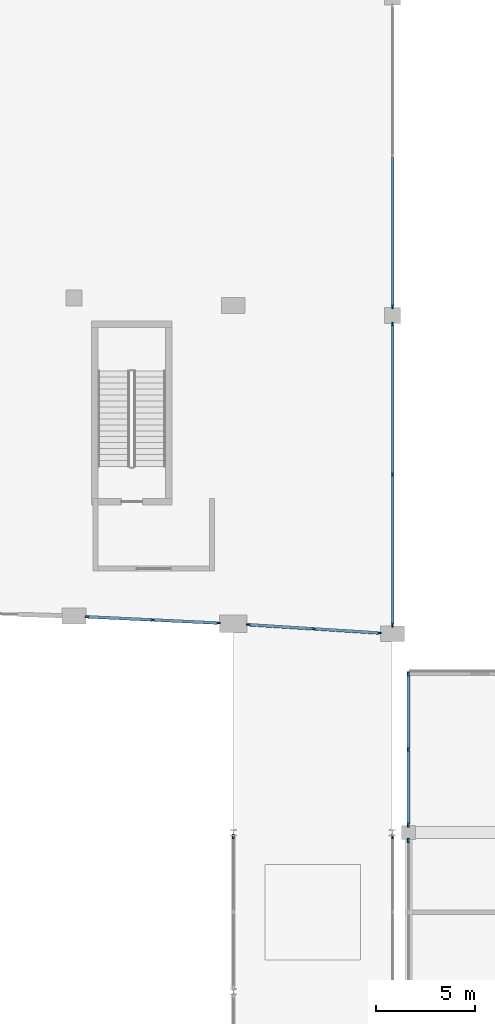
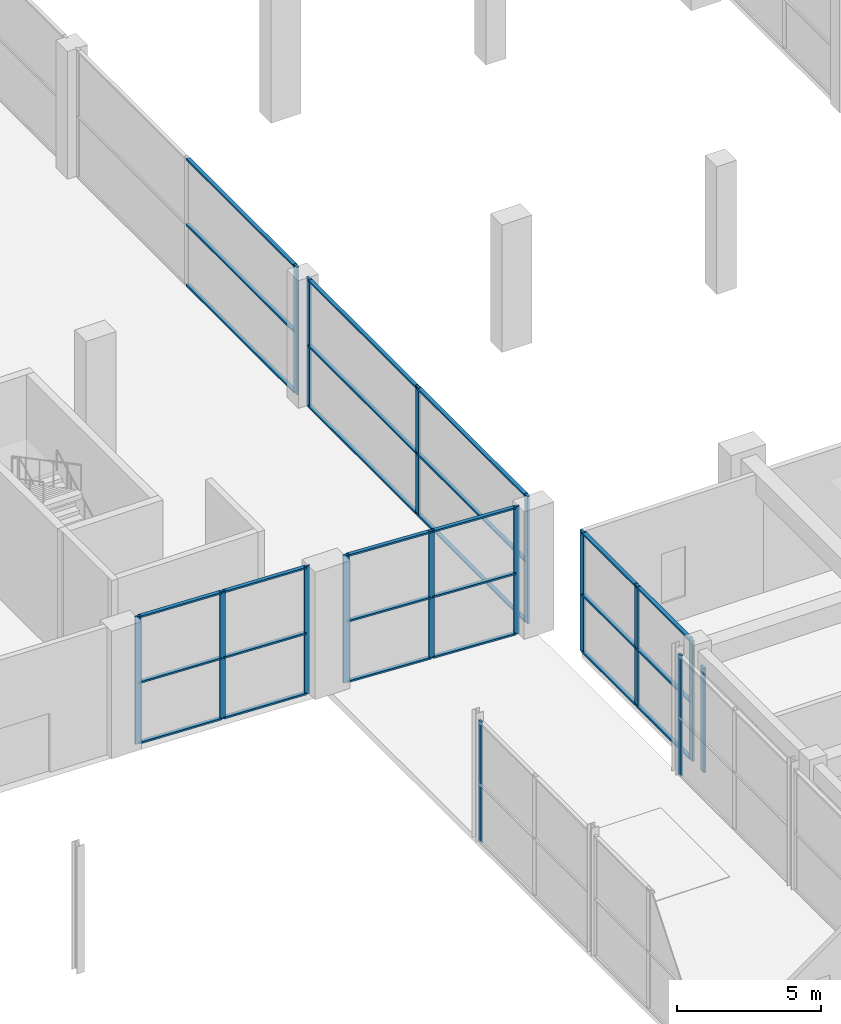
# One storey, part 32 of 86: 43 members, 8 elements without a shape of their own.
"""IFC4 building model written with IfcOpenShell, lengths in metres."""

import ifcopenshell
import ifcopenshell.guid

model = None  # the IFC model being written
_history = None  # IfcOwnerHistory: only IFC2X3 demands one
_inside = {}  # id of a spatial element -> (the spatial element, [elements in it])
_under = {}  # id of a project, library or spatial element -> (it, [spatial elements below it])
_declared = {}  # id of a project -> (the project, [libraries it declares])
_typed = {}  # id of a type object -> (the type object, [elements of that type])
_made_of = {}  # id of a material, layer set ... -> (it, [elements and type objects made of it])


def new_model(schema):
    """Start an empty IFC model of exactly this schema.

    Asked for "IFC4X3", IfcOpenShell would pick the latest addendum, in which some entities
    have other attributes; the version numbers below select the first issue.
    IFC2X3 requires an IfcOwnerHistory on every rooted entity: one is made here for all.
    """
    global model, _history
    if schema == "IFC4X3":
        model = ifcopenshell.file(schema_version=(4, 3, 0, 0))
    else:
        model = ifcopenshell.file(schema=schema)
    _inside.clear()
    _under.clear()
    _declared.clear()
    _typed.clear()
    _made_of.clear()
    _history = None
    if model.schema == "IFC2X3":
        org = make("IfcOrganization", Name="unknown")
        user = make(
            "IfcPersonAndOrganization",
            ThePerson=make("IfcPerson", FamilyName="unknown"),
            TheOrganization=org,
        )
        app = make(
            "IfcApplication",
            ApplicationDeveloper=org,
            Version="unknown",
            ApplicationFullName="unknown",
            ApplicationIdentifier="unknown",
        )
        _history = make(
            "IfcOwnerHistory",
            OwningUser=user,
            OwningApplication=app,
            ChangeAction="ADDED",
            CreationDate=0,
        )
    return model


def make(cls, **values):
    """One entity of the class cls with the attributes given. An attribute that is None is left unset."""
    return model.create_entity(
        cls, **{name: value for name, value in values.items() if value is not None}
    )


def rooted(cls, **values):
    """An entity with a GlobalId (a new one), such as an element, a storey or a relation."""
    return make(cls, GlobalId=ifcopenshell.guid.new(), OwnerHistory=_history, **values)


def si_unit(unit_type, name, prefix=None):
    """IfcSIUnit, for example si_unit("LENGTHUNIT", "METRE", prefix="MILLI")."""
    return make("IfcSIUnit", UnitType=unit_type, Prefix=prefix, Name=name)


def assignment(units):
    """IfcUnitAssignment: the units of a project."""
    return None if units is None else make("IfcUnitAssignment", Units=units)


def point(xyz):
    """IfcCartesianPoint."""
    return None if xyz is None else make("IfcCartesianPoint", Coordinates=xyz)


def direction(xyz):
    """IfcDirection."""
    return None if xyz is None else make("IfcDirection", DirectionRatios=xyz)


def frame(location, z_axis=None, x_axis=None):
    """IfcAxis2Placement3D, a coordinate frame: its origin and axes. An axis left out is left unset."""
    return make(
        "IfcAxis2Placement3D",
        Location=point(location),
        Axis=direction(z_axis),
        RefDirection=direction(x_axis),
    )


def frame_2d(location, x_axis=None):
    """IfcAxis2Placement2D, a coordinate frame in the plane: its origin and x axis."""
    return make(
        "IfcAxis2Placement2D", Location=point(location), RefDirection=direction(x_axis)
    )


def origin():
    """The frame at (0, 0, 0) with its axes left unset."""
    return frame((0.0, 0.0, 0.0))


def origin_2d():
    """The frame at (0, 0) in the plane with its x axis left unset."""
    return frame_2d((0.0, 0.0))


def place(relative_to, where):
    """IfcLocalPlacement: puts the frame where relative to a parent placement (None: the world)."""
    return make(
        "IfcLocalPlacement", PlacementRelTo=relative_to, RelativePlacement=where
    )


def context(
    kind, dimensions, precision=None, world=None, true_north=None, identifier=None
):
    """IfcGeometricRepresentationContext, for example the 3D "Model" context."""
    return make(
        "IfcGeometricRepresentationContext",
        ContextIdentifier=identifier,
        ContextType=kind,
        CoordinateSpaceDimension=dimensions,
        Precision=precision,
        WorldCoordinateSystem=world,
        TrueNorth=true_north,
    )


def subcontext(parent, identifier, kind, view, scale=None):
    """IfcGeometricRepresentationSubContext, for example "Body" below "Model"."""
    return make(
        "IfcGeometricRepresentationSubContext",
        ContextIdentifier=identifier,
        ContextType=kind,
        ParentContext=parent,
        TargetScale=scale,
        TargetView=view,
    )


def project(units=None, contexts=None):
    """IfcProject with its units and contexts."""
    return rooted(
        "IfcProject",
        Name="project",
        RepresentationContexts=contexts,
        UnitsInContext=assignment(units),
    )


def spatial(cls, under=None, at=None, **own):
    """A site, building, storey or space (cls), placed at a placement, below another one or the project."""
    s = rooted(cls, ObjectPlacement=at, **own)
    if under is not None:
        _under.setdefault(under.id(), (under, []))[1].append(s)
    return s


def profile(cls, at=None, kind="AREA", **sizes):
    """A parametric profile (cls). Its sizes go by their IFC names, for example OverallWidth=200.0."""
    return make(cls, ProfileType=kind, Position=at, **sizes)


def rectangle(**sizes):
    """IfcRectangleProfileDef."""
    return profile("IfcRectangleProfileDef", **sizes)


def extrude(swept, where, along, depth):
    """IfcExtrudedAreaSolid: the profile swept, set in the frame where, extruded along a direction by depth."""
    return make(
        "IfcExtrudedAreaSolid",
        SweptArea=swept,
        Position=where,
        ExtrudedDirection=direction(along),
        Depth=depth,
    )


def shape(context_of_items, identifier, shape_type, items):
    """IfcShapeRepresentation: the items that make up one representation, for example the "Body"."""
    return make(
        "IfcShapeRepresentation",
        ContextOfItems=context_of_items,
        RepresentationIdentifier=identifier,
        RepresentationType=shape_type,
        Items=items,
    )


def material(Name=None, Category=None):
    """IfcMaterial."""
    return make("IfcMaterial", Name=Name, Category=Category)


def material_profile(
    of_material, cross_section, Name=None, Category=None, Priority=None
):
    """IfcMaterialProfile: a cross section and its material."""
    return make(
        "IfcMaterialProfile",
        Name=Name,
        Material=of_material,
        Profile=cross_section,
        Priority=Priority,
        Category=Category,
    )


def profile_set(profiles, Name=None, composite=None):
    """IfcMaterialProfileSet."""
    return make(
        "IfcMaterialProfileSet",
        Name=Name,
        MaterialProfiles=profiles,
        CompositeProfile=composite,
    )


def made_of(thing, what):
    """Note that an element or type object is made of a material, layer set ...; save() writes the relation."""
    if what is not None:
        _made_of.setdefault(what.id(), (what, []))[1].append(thing)
    return thing


def type_object(cls, material=None, **own):
    """A type object (cls), such as IfcWallType, which elements share."""
    return made_of(rooted(cls, **own), material)


def element(
    cls,
    number,
    at=None,
    inside=None,
    cuts=None,
    type_object=None,
    material=None,
    context=None,
    identifier="Body",
    shape_type=None,
    held_by="IfcProductDefinitionShape",
    body=None,
    shapes=None,
    **own,
):
    """One element of the class cls, such as IfcWall. Its Tag is "e" and its number.

    at: its placement. inside: the storey or other place that contains it. cuts: it is an
    opening in that element (IfcRelVoidsElement). A single representation is given by context,
    identifier, shape_type and body (its items); several are given by shapes. held_by: the class
    of the entity that holds the representations. save() writes the other relations.
    """
    e = rooted(cls, Tag="e%d" % number, ObjectPlacement=at, **own)
    if body is not None:
        shapes = [shape(context, identifier, shape_type, body)]
    if shapes is not None:
        e.Representation = make(held_by, Representations=shapes)
    if inside is not None:
        _inside.setdefault(inside.id(), (inside, []))[1].append(e)
    if cuts is not None:
        rooted(
            "IfcRelVoidsElement", RelatingBuildingElement=cuts, RelatedOpeningElement=e
        )
    if type_object is not None:
        _typed.setdefault(type_object.id(), (type_object, []))[1].append(e)
    return made_of(e, material)


def aggregate(whole, parts):
    """IfcRelAggregates: a whole, such as a stair, and the parts it consists of."""
    return rooted("IfcRelAggregates", RelatingObject=whole, RelatedObjects=parts)


def save(model, path):
    """Write the relations noted so far, then the file.

    IfcRelAggregates (storeys below a building ...), IfcRelContainedInSpatialStructure (elements
    in a storey), IfcRelDefinesByType, IfcRelAssociatesMaterial and IfcRelDeclares: one each for
    every whole, place, type object, material and project.
    """
    for whole, parts in _under.values():
        aggregate(whole, parts)
    for where, things in _inside.values():
        rooted(
            "IfcRelContainedInSpatialStructure",
            RelatedElements=things,
            RelatingStructure=where,
        )
    for kind, things in _typed.values():
        rooted("IfcRelDefinesByType", RelatedObjects=things, RelatingType=kind)
    for what, things in _made_of.values():
        rooted("IfcRelAssociatesMaterial", RelatedObjects=things, RelatingMaterial=what)
    for by, libraries in _declared.values():
        rooted("IfcRelDeclares", RelatingContext=by, RelatedDefinitions=libraries)
    model.write(path)


model = new_model("IFC4")

# Units and contexts
model_context = context("Model", 3, precision=1e-05, world=origin(), true_north=direction((0.0, 1.0)))
body_context = subcontext(model_context, "Body", "Model", "MODEL_VIEW")
ifc_project = project(units=[si_unit("LENGTHUNIT", "METRE"), si_unit("AREAUNIT", "SQUARE_METRE"), si_unit("VOLUMEUNIT", "CUBIC_METRE"), si_unit("PLANEANGLEUNIT", "RADIAN"), si_unit("MASSUNIT", "GRAM", prefix="KILO")], contexts=[model_context])

# Site, building, storey
site_placement = place(None, origin())
site = spatial("IfcSite", under=ifc_project, at=site_placement, CompositionType="ELEMENT")
building_placement = place(site_placement, origin())
building = spatial("IfcBuilding", under=site, at=building_placement, Name="Kenh Van Central Station", CompositionType="ELEMENT")
storey_placement = place(building_placement, origin())
storey = spatial("IfcBuildingStorey", under=building, at=storey_placement, Name="L00", CompositionType="ELEMENT", Elevation=0.0)

# Curtain wall, members
ifc_material = material(Name="Champagne anodised aluminium", Category="aluminium")
curtain_wall_type_1 = type_object("IfcCurtainWallType", Name="CW-OPER-B", PredefinedType="NOTDEFINED", material=ifc_material)
curtain_wall_1_placement = place(storey_placement, origin())
curtain_wall_1 = element("IfcCurtainWall", 1, at=curtain_wall_1_placement, inside=storey, type_object=curtain_wall_type_1, Name="L00 curtain wall 069", PredefinedType="NOTDEFINED")
ifc_material_profile_1 = material_profile(ifc_material, rectangle(XDim=0.087890625, YDim=0.239990234375, at=origin_2d()), Name="AL 88x240")
ifc_profile_set_1 = profile_set([ifc_material_profile_1], Name="Champagne anodised aluminium")
member_type_1 = type_object("IfcMemberType", Name="CWM-60x140", PredefinedType="MULLION", material=ifc_profile_set_1)
member_1_placement = place(storey_placement, frame((120.800048828125, 63.9560546875, 0.0), z_axis=(0.0, 0.0, 1.0), x_axis=(1.0, 0.0, 0.0)))
member_1 = element("IfcMember", 2, at=member_1_placement, type_object=member_type_1, Name="CW-08 mullion 1", PredefinedType="MULLION", context=body_context, shape_type="SweptSolid", body=[
    extrude(rectangle(XDim=0.087890625, YDim=0.239990234375, at=origin_2d()), origin(), (0.0, 0.0, 1.0), 5.10009765625),
])
member_2_placement = place(storey_placement, frame((120.800048828125, 60.175048828125, 0.0), z_axis=(0.0, 0.0, 1.0), x_axis=(1.0, 0.0, 0.0)))
member_2 = element("IfcMember", 3, at=member_2_placement, type_object=member_type_1, Name="CW-08 mullion 2", PredefinedType="MULLION", context=body_context, shape_type="SweptSolid", body=[
    extrude(rectangle(XDim=0.087890625, YDim=0.239990234375, at=origin_2d()), origin(), (0.0, 0.0, 1.0), 5.10009765625),
])
member_3_placement = place(storey_placement, frame((120.800048828125, 56.39404296875, 0.0), z_axis=(0.0, 0.0, 1.0), x_axis=(1.0, 0.0, 0.0)))
member_3 = element("IfcMember", 4, at=member_3_placement, type_object=member_type_1, Name="CW-08 mullion 3", PredefinedType="MULLION", context=body_context, shape_type="SweptSolid", body=[
    extrude(rectangle(XDim=0.087890625, YDim=0.239990234375, at=origin_2d()), origin(), (0.0, 0.0, 1.0), 5.10009765625),
])

# Curtain wall, member
curtain_wall_2_placement = place(storey_placement, origin())
curtain_wall_2 = element("IfcCurtainWall", 5, at=curtain_wall_2_placement, inside=storey, type_object=curtain_wall_type_1, Name="L00 curtain wall 070", PredefinedType="NOTDEFINED")
member_4_placement = place(storey_placement, frame((120.800048828125, 55.60595703125, 0.0), z_axis=(0.0, 0.0, 1.0), x_axis=(1.0, 0.0, 0.0)))
member_4 = element("IfcMember", 6, at=member_4_placement, type_object=member_type_1, Name="CW-08 mullion 1", PredefinedType="MULLION", context=body_context, shape_type="SweptSolid", body=[
    extrude(rectangle(XDim=0.087890625, YDim=0.239990234375, at=origin_2d()), origin(), (0.0, 0.0, 1.0), 4.419921875),
])
aggregate(curtain_wall_2, [member_4])

# Curtain wall, members
curtain_wall_type_2 = type_object("IfcCurtainWallType", Name="CW-HALL-B", PredefinedType="NOTDEFINED", material=ifc_material)
curtain_wall_3_placement = place(storey_placement, origin())
curtain_wall_3 = element("IfcCurtainWall", 7, at=curtain_wall_3_placement, inside=storey, type_object=curtain_wall_type_2, Name="L00 curtain wall 019", PredefinedType="NOTDEFINED")
ifc_material_profile_2 = material_profile(ifc_material, rectangle(XDim=0.08203125, YDim=0.22509765625, at=origin_2d()), Name="AL 82x225")
ifc_profile_set_2 = profile_set([ifc_material_profile_2], Name="Champagne anodised aluminium")
member_type_2 = type_object("IfcMemberType", Name="CWM-70x180", PredefinedType="MULLION", material=ifc_profile_set_2)
member_5_placement = place(storey_placement, frame((120.0, 66.436279296875, 0.0), z_axis=(0.0, 0.0, 1.0), x_axis=(-1.0, 0.0, 0.0)))
member_5 = element("IfcMember", 8, at=member_5_placement, type_object=member_type_2, Name="CW-02 mullion 1", PredefinedType="MULLION", context=body_context, shape_type="SweptSolid", body=[
    extrude(rectangle(XDim=0.08203125, YDim=0.22509765625, at=origin_2d()), origin(), (0.0, 0.0, 1.0), 5.39990234375),
])
member_6_placement = place(storey_placement, frame((120.0, 73.9951171875, 0.0), z_axis=(0.0, 0.0, 1.0), x_axis=(-1.0, 0.0, 0.0)))
member_6 = element("IfcMember", 9, at=member_6_placement, type_object=member_type_2, Name="CW-02 mullion 2", PredefinedType="MULLION", context=body_context, shape_type="SweptSolid", body=[
    extrude(rectangle(XDim=0.08203125, YDim=0.22509765625, at=origin_2d()), origin(), (0.0, 0.0, 1.0), 5.39990234375),
])
member_7_placement = place(storey_placement, frame((120.0, 81.55419921875, 0.0), z_axis=(0.0, 0.0, 1.0), x_axis=(-1.0, 0.0, 0.0)))
member_7 = element("IfcMember", 10, at=member_7_placement, type_object=member_type_2, Name="CW-02 mullion 3", PredefinedType="MULLION", context=body_context, shape_type="SweptSolid", body=[
    extrude(rectangle(XDim=0.08203125, YDim=0.22509765625, at=origin_2d()), origin(), (0.0, 0.0, 1.0), 5.39990234375),
])

# Curtain wall, member
curtain_wall_4_placement = place(storey_placement, origin())
curtain_wall_4 = element("IfcCurtainWall", 11, at=curtain_wall_4_placement, inside=storey, type_object=curtain_wall_type_2, Name="L00 curtain wall 020", PredefinedType="NOTDEFINED")
member_8_placement = place(storey_placement, frame((120.0, 82.436279296875, 0.0), z_axis=(0.0, 0.0, 1.0), x_axis=(-1.0, 0.0, 0.0)))
member_8 = element("IfcMember", 12, at=member_8_placement, type_object=member_type_2, Name="CW-02 mullion 1", PredefinedType="MULLION", context=body_context, shape_type="SweptSolid", body=[
    extrude(rectangle(XDim=0.08203125, YDim=0.22509765625, at=origin_2d()), origin(), (0.0, 0.0, 1.0), 5.39990234375),
])

curtain_wall_type_3 = type_object("IfcCurtainWallType", Name="CW-CONC-B", PredefinedType="NOTDEFINED", material=ifc_material)
curtain_wall_5_placement = place(storey_placement, origin())
curtain_wall_5 = element("IfcCurtainWall", 13, at=curtain_wall_5_placement, inside=storey, type_object=curtain_wall_type_3, Name="L00 curtain wall 031", PredefinedType="NOTDEFINED")
member_9_placement = place(storey_placement, frame((112.0, 55.80908203125, 0.0), z_axis=(0.0, 0.0, 1.0), x_axis=(1.0, 0.0, 0.0)))
member_9 = element("IfcMember", 14, at=member_9_placement, type_object=member_type_2, Name="CW-04 mullion 1", PredefinedType="MULLION", context=body_context, shape_type="SweptSolid", body=[
    extrude(rectangle(XDim=0.08203125, YDim=0.22509765625, at=origin_2d()), origin(), (0.0, 0.0, 1.0), 5.10009765625),
])
aggregate(curtain_wall_5, [member_9])

curtain_wall_6_placement = place(storey_placement, origin())
curtain_wall_6 = element("IfcCurtainWall", 15, at=curtain_wall_6_placement, inside=storey, type_object=curtain_wall_type_3, Name="L00 curtain wall 037", PredefinedType="NOTDEFINED")
member_10_placement = place(storey_placement, frame((120.0, 55.80908203125, 0.0), z_axis=(0.0, 0.0, 1.0), x_axis=(-1.0, 0.0, 0.0)))
member_10 = element("IfcMember", 16, at=member_10_placement, type_object=member_type_2, Name="CW-04 mullion 3", PredefinedType="MULLION", context=body_context, shape_type="SweptSolid", body=[
    extrude(rectangle(XDim=0.08203125, YDim=0.22509765625, at=origin_2d()), origin(), (0.0, 0.0, 1.0), 5.10009765625),
])
aggregate(curtain_wall_6, [member_10])

# Curtain wall, members
curtain_wall_type_4 = type_object("IfcCurtainWallType", Name="CW-HALL-A", PredefinedType="NOTDEFINED", material=ifc_material)
curtain_wall_7_placement = place(storey_placement, origin())
curtain_wall_7 = element("IfcCurtainWall", 17, at=curtain_wall_7_placement, inside=storey, type_object=curtain_wall_type_4, Name="L00 curtain wall 012", PredefinedType="NOTDEFINED")
ifc_material_profile_3 = material_profile(ifc_material, rectangle(XDim=0.080078125, YDim=0.219970703125, at=origin_2d()), Name="AL 80x220")
ifc_profile_set_3 = profile_set([ifc_material_profile_3], Name="Champagne anodised aluminium")
member_type_3 = type_object("IfcMemberType", Name="CWM-80x220", PredefinedType="MULLION", material=ifc_profile_set_3)
member_11_placement = place(storey_placement, frame((104.65771484375, 66.851806640625, 0.0), z_axis=(0.0, 0.0, 1.0), x_axis=(0.047600764745, 0.99886644112, 0.0)))
member_11 = element("IfcMember", 18, at=member_11_placement, type_object=member_type_3, Name="CW-01 mullion 1", PredefinedType="MULLION", context=body_context, shape_type="SweptSolid", body=[
    extrude(rectangle(XDim=0.080078125, YDim=0.219970703125, at=origin_2d()), origin(), (0.0, 0.0, 1.0), 5.39990234375),
])
member_12_placement = place(storey_placement, frame((107.948974609375, 66.695068359375, 0.0), z_axis=(0.0, 0.0, 1.0), x_axis=(0.047600764745, 0.99886644112, 0.0)))
member_12 = element("IfcMember", 19, at=member_12_placement, type_object=member_type_3, Name="CW-01 mullion 2", PredefinedType="MULLION", context=body_context, shape_type="SweptSolid", body=[
    extrude(rectangle(XDim=0.080078125, YDim=0.219970703125, at=origin_2d()), origin(), (0.0, 0.0, 1.0), 5.39990234375),
])
member_13_placement = place(storey_placement, frame((111.240234375, 66.5380859375, 0.0), z_axis=(0.0, 0.0, 1.0), x_axis=(0.047600764745, 0.99886644112, 0.0)))
member_13 = element("IfcMember", 20, at=member_13_placement, type_object=member_type_3, Name="CW-01 mullion 3", PredefinedType="MULLION", context=body_context, shape_type="SweptSolid", body=[
    extrude(rectangle(XDim=0.080078125, YDim=0.219970703125, at=origin_2d()), origin(), (0.0, 0.0, 1.0), 5.39990234375),
])

curtain_wall_8_placement = place(storey_placement, origin())
curtain_wall_8 = element("IfcCurtainWall", 21, at=curtain_wall_8_placement, inside=storey, type_object=curtain_wall_type_4, Name="L00 curtain wall 014", PredefinedType="NOTDEFINED")
member_14_placement = place(storey_placement, frame((112.765625, 66.453369140625, 0.0), z_axis=(0.0, 0.0, 1.0), x_axis=(0.063211477724, 0.998000154852, 0.0)))
member_14 = element("IfcMember", 22, at=member_14_placement, type_object=member_type_3, Name="CW-01 mullion 1", PredefinedType="MULLION", context=body_context, shape_type="SweptSolid", body=[
    extrude(rectangle(XDim=0.080078125, YDim=0.219970703125, at=origin_2d()), origin(), (0.0, 0.0, 1.0), 5.39990234375),
])
member_15_placement = place(storey_placement, frame((116.051513671875, 66.245361328125, 0.0), z_axis=(0.0, 0.0, 1.0), x_axis=(0.063211477724, 0.998000154852, 0.0)))
member_15 = element("IfcMember", 23, at=member_15_placement, type_object=member_type_3, Name="CW-01 mullion 2", PredefinedType="MULLION", context=body_context, shape_type="SweptSolid", body=[
    extrude(rectangle(XDim=0.080078125, YDim=0.219970703125, at=origin_2d()), origin(), (0.0, 0.0, 1.0), 5.39990234375),
])
member_16_placement = place(storey_placement, frame((119.337158203125, 66.037109375, 0.0), z_axis=(0.0, 0.0, 1.0), x_axis=(0.063211477724, 0.998000154852, 0.0)))
member_16 = element("IfcMember", 24, at=member_16_placement, type_object=member_type_3, Name="CW-01 mullion 3", PredefinedType="MULLION", context=body_context, shape_type="SweptSolid", body=[
    extrude(rectangle(XDim=0.080078125, YDim=0.219970703125, at=origin_2d()), origin(), (0.0, 0.0, 1.0), 5.39990234375),
])

# Member
ifc_material_profile_4 = material_profile(ifc_material, rectangle(XDim=0.155029296875, YDim=0.072021484375, at=origin_2d()), Name="AL 155x72")
ifc_profile_set_4 = profile_set([ifc_material_profile_4], Name="Champagne anodised aluminium")
member_type_4 = type_object("IfcMemberType", Name="CWT-120x60", PredefinedType="USERDEFINED", material=ifc_profile_set_4)
member_17_placement = place(storey_placement, frame((120.800048828125, 63.912109375, 0.035888671875), z_axis=(0.0, -1.0, 0.0), x_axis=(1.0, 0.0, 0.0)))
member_17 = element("IfcMember", 25, at=member_17_placement, type_object=member_type_4, Name="CW-08 transom 1.1", ObjectType="TRANSOM", PredefinedType="USERDEFINED", context=body_context, shape_type="SweptSolid", body=[
    extrude(rectangle(XDim=0.155029296875, YDim=0.072021484375, at=origin_2d()), origin(), (0.0, 0.0, 1.0), 3.693115234375),
])

member_18_placement = place(storey_placement, frame((120.800048828125, 63.912109375, 2.447998046875), z_axis=(0.0, -1.0, 0.0), x_axis=(1.0, 0.0, 0.0)))
member_18 = element("IfcMember", 26, at=member_18_placement, type_object=member_type_4, Name="CW-08 transom 1.2", ObjectType="TRANSOM", PredefinedType="USERDEFINED", context=body_context, shape_type="SweptSolid", body=[
    extrude(rectangle(XDim=0.155029296875, YDim=0.072021484375, at=origin_2d()), origin(), (0.0, 0.0, 1.0), 3.693115234375),
])

member_19_placement = place(storey_placement, frame((120.800048828125, 63.912109375, 5.06396484375), z_axis=(0.0, -1.0, 0.0), x_axis=(1.0, 0.0, 0.0)))
member_19 = element("IfcMember", 27, at=member_19_placement, type_object=member_type_4, Name="CW-08 transom 1.3", ObjectType="TRANSOM", PredefinedType="USERDEFINED", context=body_context, shape_type="SweptSolid", body=[
    extrude(rectangle(XDim=0.155029296875, YDim=0.072021484375, at=origin_2d()), origin(), (0.0, 0.0, 1.0), 3.693115234375),
])

member_20_placement = place(storey_placement, frame((120.800048828125, 60.131103515625, 0.035888671875), z_axis=(0.0, -1.0, 0.0), x_axis=(1.0, 0.0, 0.0)))
member_20 = element("IfcMember", 28, at=member_20_placement, type_object=member_type_4, Name="CW-08 transom 2.1", ObjectType="TRANSOM", PredefinedType="USERDEFINED", context=body_context, shape_type="SweptSolid", body=[
    extrude(rectangle(XDim=0.155029296875, YDim=0.072021484375, at=origin_2d()), origin(), (0.0, 0.0, 1.0), 3.693115234375),
])

member_21_placement = place(storey_placement, frame((120.800048828125, 60.131103515625, 2.447998046875), z_axis=(0.0, -1.0, 0.0), x_axis=(1.0, 0.0, 0.0)))
member_21 = element("IfcMember", 29, at=member_21_placement, type_object=member_type_4, Name="CW-08 transom 2.2", ObjectType="TRANSOM", PredefinedType="USERDEFINED", context=body_context, shape_type="SweptSolid", body=[
    extrude(rectangle(XDim=0.155029296875, YDim=0.072021484375, at=origin_2d()), origin(), (0.0, 0.0, 1.0), 3.693115234375),
])

member_22_placement = place(storey_placement, frame((120.800048828125, 60.131103515625, 5.06396484375), z_axis=(0.0, -1.0, 0.0), x_axis=(1.0, 0.0, 0.0)))
member_22 = element("IfcMember", 30, at=member_22_placement, type_object=member_type_4, Name="CW-08 transom 2.3", ObjectType="TRANSOM", PredefinedType="USERDEFINED", context=body_context, shape_type="SweptSolid", body=[
    extrude(rectangle(XDim=0.155029296875, YDim=0.072021484375, at=origin_2d()), origin(), (0.0, 0.0, 1.0), 3.693115234375),
])

aggregate(curtain_wall_1, [member_1, member_2, member_3, member_17, member_18, member_19, member_20, member_21, member_22])

ifc_material_profile_5 = material_profile(ifc_material, rectangle(XDim=0.14990234375, YDim=0.070068359375, at=origin_2d()), Name="AL 150x70")
ifc_profile_set_5 = profile_set([ifc_material_profile_5], Name="Champagne anodised aluminium")
member_type_5 = type_object("IfcMemberType", Name="CWT-150x70", PredefinedType="USERDEFINED", material=ifc_profile_set_5)
member_23_placement = place(storey_placement, frame((104.697509765625, 66.849853515625, 0.034912109375), z_axis=(0.998865903203, -0.047612051187, 0.0), x_axis=(0.047612051187, 0.998865903203, 0.0)))
member_23 = element("IfcMember", 31, at=member_23_placement, type_object=member_type_5, Name="CW-01 transom 1.1", ObjectType="TRANSOM", PredefinedType="USERDEFINED", context=body_context, shape_type="SweptSolid", body=[
    extrude(rectangle(XDim=0.14990234375, YDim=0.070068359375, at=origin_2d()), origin(), (0.0, 0.0, 1.0), 3.215087890625),
])

member_24_placement = place(storey_placement, frame((104.697509765625, 66.849853515625, 2.592041015625), z_axis=(0.998865903203, -0.047612051187, 0.0), x_axis=(0.047612051187, 0.998865903203, 0.0)))
member_24 = element("IfcMember", 32, at=member_24_placement, type_object=member_type_5, Name="CW-01 transom 1.2", ObjectType="TRANSOM", PredefinedType="USERDEFINED", context=body_context, shape_type="SweptSolid", body=[
    extrude(rectangle(XDim=0.14990234375, YDim=0.070068359375, at=origin_2d()), origin(), (0.0, 0.0, 1.0), 3.215087890625),
])

member_25_placement = place(storey_placement, frame((104.697509765625, 66.849853515625, 5.364990234375), z_axis=(0.998865903203, -0.047612051187, 0.0), x_axis=(0.047612051187, 0.998865903203, 0.0)))
member_25 = element("IfcMember", 33, at=member_25_placement, type_object=member_type_5, Name="CW-01 transom 1.3", ObjectType="TRANSOM", PredefinedType="USERDEFINED", context=body_context, shape_type="SweptSolid", body=[
    extrude(rectangle(XDim=0.14990234375, YDim=0.070068359375, at=origin_2d()), origin(), (0.0, 0.0, 1.0), 3.215087890625),
])

member_26_placement = place(storey_placement, frame((107.989013671875, 66.693115234375, 0.034912109375), z_axis=(0.998865731043, -0.047615662842, 0.0), x_axis=(0.047615662842, 0.998865731043, 0.0)))
member_26 = element("IfcMember", 34, at=member_26_placement, type_object=member_type_5, Name="CW-01 transom 2.1", ObjectType="TRANSOM", PredefinedType="USERDEFINED", context=body_context, shape_type="SweptSolid", body=[
    extrude(rectangle(XDim=0.14990234375, YDim=0.070068359375, at=origin_2d()), origin(), (0.0, 0.0, 1.0), 3.21484375),
])

member_27_placement = place(storey_placement, frame((107.989013671875, 66.693115234375, 2.592041015625), z_axis=(0.998865731043, -0.047615662842, 0.0), x_axis=(0.047615662842, 0.998865731043, 0.0)))
member_27 = element("IfcMember", 35, at=member_27_placement, type_object=member_type_5, Name="CW-01 transom 2.2", ObjectType="TRANSOM", PredefinedType="USERDEFINED", context=body_context, shape_type="SweptSolid", body=[
    extrude(rectangle(XDim=0.14990234375, YDim=0.070068359375, at=origin_2d()), origin(), (0.0, 0.0, 1.0), 3.21484375),
])

member_28_placement = place(storey_placement, frame((107.989013671875, 66.693115234375, 5.364990234375), z_axis=(0.998865731043, -0.047615662842, 0.0), x_axis=(0.047615662842, 0.998865731043, 0.0)))
member_28 = element("IfcMember", 36, at=member_28_placement, type_object=member_type_5, Name="CW-01 transom 2.3", ObjectType="TRANSOM", PredefinedType="USERDEFINED", context=body_context, shape_type="SweptSolid", body=[
    extrude(rectangle(XDim=0.14990234375, YDim=0.070068359375, at=origin_2d()), origin(), (0.0, 0.0, 1.0), 3.21484375),
])

aggregate(curtain_wall_7, [member_11, member_12, member_13, member_23, member_24, member_25, member_26, member_27, member_28])

member_29_placement = place(storey_placement, frame((112.805419921875, 66.450927734375, 0.034912109375), z_axis=(0.997998987314, -0.063229908426, 0.0), x_axis=(0.063229908426, 0.997998987314, 0.0)))
member_29 = element("IfcMember", 37, at=member_29_placement, type_object=member_type_5, Name="CW-01 transom 1.1", ObjectType="TRANSOM", PredefinedType="USERDEFINED", context=body_context, shape_type="SweptSolid", body=[
    extrude(rectangle(XDim=0.14990234375, YDim=0.070068359375, at=origin_2d()), origin(), (0.0, 0.0, 1.0), 3.21240234375),
])

member_30_placement = place(storey_placement, frame((112.805419921875, 66.450927734375, 2.592041015625), z_axis=(0.997998987314, -0.063229908426, 0.0), x_axis=(0.063229908426, 0.997998987314, 0.0)))
member_30 = element("IfcMember", 38, at=member_30_placement, type_object=member_type_5, Name="CW-01 transom 1.2", ObjectType="TRANSOM", PredefinedType="USERDEFINED", context=body_context, shape_type="SweptSolid", body=[
    extrude(rectangle(XDim=0.14990234375, YDim=0.070068359375, at=origin_2d()), origin(), (0.0, 0.0, 1.0), 3.21240234375),
])

member_31_placement = place(storey_placement, frame((112.805419921875, 66.450927734375, 5.364990234375), z_axis=(0.997998987314, -0.063229908426, 0.0), x_axis=(0.063229908426, 0.997998987314, 0.0)))
member_31 = element("IfcMember", 39, at=member_31_placement, type_object=member_type_5, Name="CW-01 transom 1.3", ObjectType="TRANSOM", PredefinedType="USERDEFINED", context=body_context, shape_type="SweptSolid", body=[
    extrude(rectangle(XDim=0.14990234375, YDim=0.070068359375, at=origin_2d()), origin(), (0.0, 0.0, 1.0), 3.21240234375),
])

member_32_placement = place(storey_placement, frame((116.09130859375, 66.24267578125, 0.034912109375), z_axis=(0.997998987314, -0.063229908426, 0.0), x_axis=(0.063229908426, 0.997998987314, 0.0)))
member_32 = element("IfcMember", 40, at=member_32_placement, type_object=member_type_5, Name="CW-01 transom 2.1", ObjectType="TRANSOM", PredefinedType="USERDEFINED", context=body_context, shape_type="SweptSolid", body=[
    extrude(rectangle(XDim=0.14990234375, YDim=0.070068359375, at=origin_2d()), origin(), (0.0, 0.0, 1.0), 3.21240234375),
])

member_33_placement = place(storey_placement, frame((116.09130859375, 66.24267578125, 2.592041015625), z_axis=(0.997998987314, -0.063229908426, 0.0), x_axis=(0.063229908426, 0.997998987314, 0.0)))
member_33 = element("IfcMember", 41, at=member_33_placement, type_object=member_type_5, Name="CW-01 transom 2.2", ObjectType="TRANSOM", PredefinedType="USERDEFINED", context=body_context, shape_type="SweptSolid", body=[
    extrude(rectangle(XDim=0.14990234375, YDim=0.070068359375, at=origin_2d()), origin(), (0.0, 0.0, 1.0), 3.21240234375),
])

member_34_placement = place(storey_placement, frame((116.09130859375, 66.24267578125, 5.364990234375), z_axis=(0.997998987314, -0.063229908426, 0.0), x_axis=(0.063229908426, 0.997998987314, 0.0)))
member_34 = element("IfcMember", 42, at=member_34_placement, type_object=member_type_5, Name="CW-01 transom 2.3", ObjectType="TRANSOM", PredefinedType="USERDEFINED", context=body_context, shape_type="SweptSolid", body=[
    extrude(rectangle(XDim=0.14990234375, YDim=0.070068359375, at=origin_2d()), origin(), (0.0, 0.0, 1.0), 3.21240234375),
])

aggregate(curtain_wall_8, [member_14, member_15, member_16, member_29, member_30, member_31, member_32, member_33, member_34])

member_35_placement = place(storey_placement, frame((120.0, 66.477294921875, 0.034912109375), z_axis=(0.0, 1.0, 0.0), x_axis=(-1.0, 0.0, 0.0)))
member_35 = element("IfcMember", 43, at=member_35_placement, type_object=member_type_5, Name="CW-02 transom 1.1", ObjectType="TRANSOM", PredefinedType="USERDEFINED", context=body_context, shape_type="SweptSolid", body=[
    extrude(rectangle(XDim=0.14990234375, YDim=0.070068359375, at=origin_2d()), origin(), (0.0, 0.0, 1.0), 7.476806640625),
])

member_36_placement = place(storey_placement, frame((120.0, 66.477294921875, 2.592041015625), z_axis=(0.0, 1.0, 0.0), x_axis=(-1.0, 0.0, 0.0)))
member_36 = element("IfcMember", 44, at=member_36_placement, type_object=member_type_5, Name="CW-02 transom 1.2", ObjectType="TRANSOM", PredefinedType="USERDEFINED", context=body_context, shape_type="SweptSolid", body=[
    extrude(rectangle(XDim=0.14990234375, YDim=0.070068359375, at=origin_2d()), origin(), (0.0, 0.0, 1.0), 7.476806640625),
])

member_37_placement = place(storey_placement, frame((120.0, 66.477294921875, 5.364990234375), z_axis=(0.0, 1.0, 0.0), x_axis=(-1.0, 0.0, 0.0)))
member_37 = element("IfcMember", 45, at=member_37_placement, type_object=member_type_5, Name="CW-02 transom 1.3", ObjectType="TRANSOM", PredefinedType="USERDEFINED", context=body_context, shape_type="SweptSolid", body=[
    extrude(rectangle(XDim=0.14990234375, YDim=0.070068359375, at=origin_2d()), origin(), (0.0, 0.0, 1.0), 7.476806640625),
])

member_38_placement = place(storey_placement, frame((120.0, 74.0361328125, 0.034912109375), z_axis=(0.0, 1.0, 0.0), x_axis=(-1.0, 0.0, 0.0)))
member_38 = element("IfcMember", 46, at=member_38_placement, type_object=member_type_5, Name="CW-02 transom 2.1", ObjectType="TRANSOM", PredefinedType="USERDEFINED", context=body_context, shape_type="SweptSolid", body=[
    extrude(rectangle(XDim=0.14990234375, YDim=0.070068359375, at=origin_2d()), origin(), (0.0, 0.0, 1.0), 7.47705078125),
])

member_39_placement = place(storey_placement, frame((120.0, 74.0361328125, 2.592041015625), z_axis=(0.0, 1.0, 0.0), x_axis=(-1.0, 0.0, 0.0)))
member_39 = element("IfcMember", 47, at=member_39_placement, type_object=member_type_5, Name="CW-02 transom 2.2", ObjectType="TRANSOM", PredefinedType="USERDEFINED", context=body_context, shape_type="SweptSolid", body=[
    extrude(rectangle(XDim=0.14990234375, YDim=0.070068359375, at=origin_2d()), origin(), (0.0, 0.0, 1.0), 7.47705078125),
])

member_40_placement = place(storey_placement, frame((120.0, 74.0361328125, 5.364990234375), z_axis=(0.0, 1.0, 0.0), x_axis=(-1.0, 0.0, 0.0)))
member_40 = element("IfcMember", 48, at=member_40_placement, type_object=member_type_5, Name="CW-02 transom 2.3", ObjectType="TRANSOM", PredefinedType="USERDEFINED", context=body_context, shape_type="SweptSolid", body=[
    extrude(rectangle(XDim=0.14990234375, YDim=0.070068359375, at=origin_2d()), origin(), (0.0, 0.0, 1.0), 7.47705078125),
])

aggregate(curtain_wall_3, [member_5, member_6, member_7, member_35, member_36, member_37, member_38, member_39, member_40])

member_41_placement = place(storey_placement, frame((120.0, 82.477294921875, 0.034912109375), z_axis=(0.0, 1.0, 0.0), x_axis=(-1.0, 0.0, 0.0)))
member_41 = element("IfcMember", 49, at=member_41_placement, type_object=member_type_5, Name="CW-02 transom 1.1", ObjectType="TRANSOM", PredefinedType="USERDEFINED", context=body_context, shape_type="SweptSolid", body=[
    extrude(rectangle(XDim=0.14990234375, YDim=0.070068359375, at=origin_2d()), origin(), (0.0, 0.0, 1.0), 7.476806640625),
])

member_42_placement = place(storey_placement, frame((120.0, 82.477294921875, 2.592041015625), z_axis=(0.0, 1.0, 0.0), x_axis=(-1.0, 0.0, 0.0)))
member_42 = element("IfcMember", 50, at=member_42_placement, type_object=member_type_5, Name="CW-02 transom 1.2", ObjectType="TRANSOM", PredefinedType="USERDEFINED", context=body_context, shape_type="SweptSolid", body=[
    extrude(rectangle(XDim=0.14990234375, YDim=0.070068359375, at=origin_2d()), origin(), (0.0, 0.0, 1.0), 7.476806640625),
])

member_43_placement = place(storey_placement, frame((120.0, 82.477294921875, 5.364990234375), z_axis=(0.0, 1.0, 0.0), x_axis=(-1.0, 0.0, 0.0)))
member_43 = element("IfcMember", 51, at=member_43_placement, type_object=member_type_5, Name="CW-02 transom 1.3", ObjectType="TRANSOM", PredefinedType="USERDEFINED", context=body_context, shape_type="SweptSolid", body=[
    extrude(rectangle(XDim=0.14990234375, YDim=0.070068359375, at=origin_2d()), origin(), (0.0, 0.0, 1.0), 7.476806640625),
])

aggregate(curtain_wall_4, [member_8, member_41, member_42, member_43])

save(model, "model.ifc")
